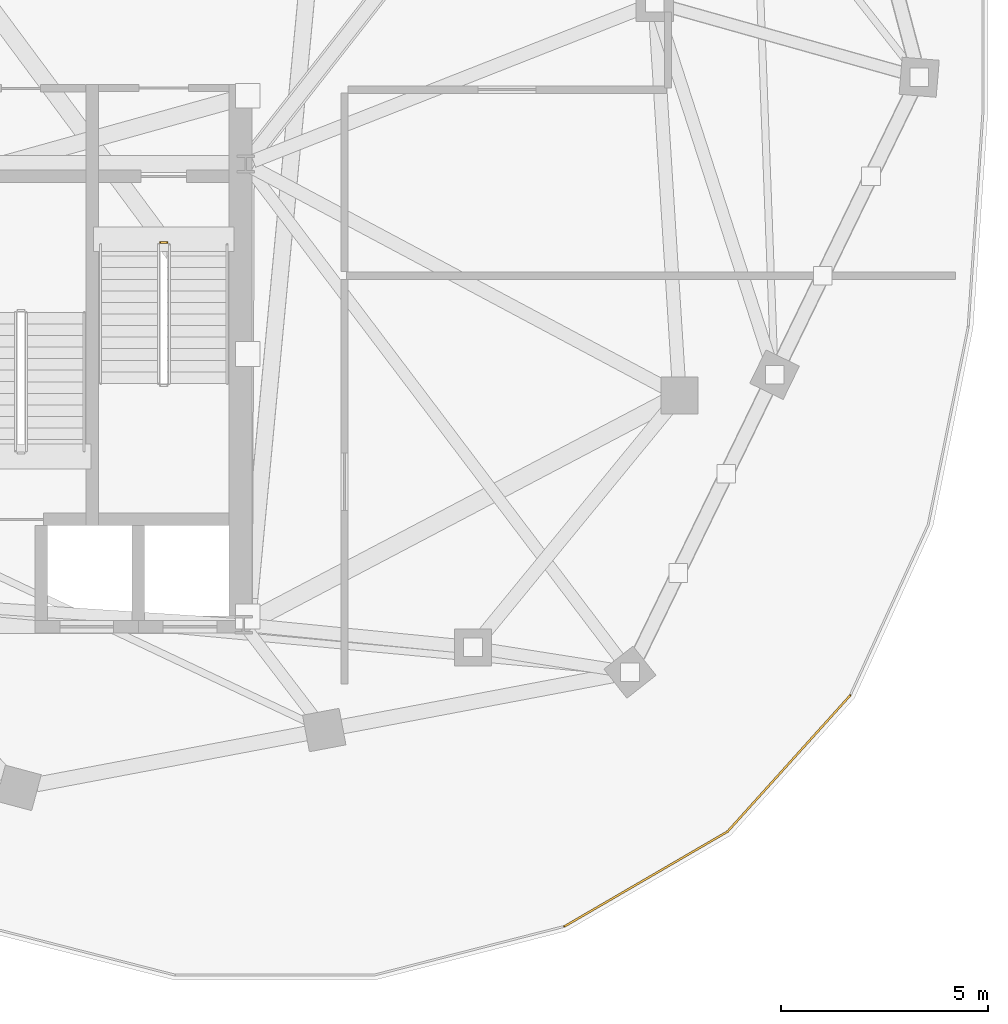
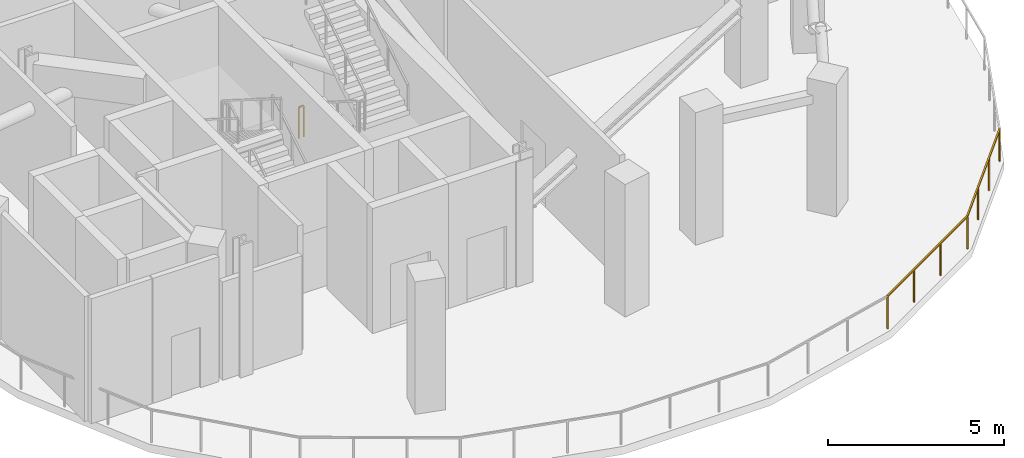
# One storey, part 15 of 16: 2 railings.
"""IFC4 building model written with IfcOpenShell, lengths in metres."""

from ifc_helpers import new_model, si_unit, direction, frame, origin, origin_2d, place, context, subcontext, project, spatial, rectangle, extrude, material, type_object, element, save


model = new_model("IFC4")

# Units and contexts
model_context = context("Model", 3, precision=1e-05, world=origin(), true_north=direction((0.0, 1.0)))
body_context = subcontext(model_context, "Body", "Model", "MODEL_VIEW")
ifc_project = project(units=[si_unit("LENGTHUNIT", "METRE"), si_unit("AREAUNIT", "SQUARE_METRE"), si_unit("VOLUMEUNIT", "CUBIC_METRE"), si_unit("PLANEANGLEUNIT", "RADIAN"), si_unit("MASSUNIT", "GRAM", prefix="KILO"), si_unit("THERMODYNAMICTEMPERATUREUNIT", "KELVIN"), si_unit("POWERUNIT", "WATT")], contexts=[model_context])

# Site, building, storey
site_placement = place(None, origin())
site = spatial("IfcSite", under=ifc_project, at=site_placement, CompositionType="ELEMENT")
building_placement = place(site_placement, origin())
building = spatial("IfcBuilding", under=site, at=building_placement, Name="Cundina Bronze Exchange", CompositionType="ELEMENT")
storey_placement = place(building_placement, frame((0.0, 0.0, 235.0)))
storey = spatial("IfcBuildingStorey", under=building, at=storey_placement, Name="L62", CompositionType="ELEMENT", Elevation=235.0)

# Railings
ifc_material_1 = material(Name="Anodised Bronze Aluminium 6063-T6", Category="aluminium")
railing_type_1 = type_object("IfcRailingType", Name="RLG-GRD-1150", PredefinedType="GUARDRAIL", material=ifc_material_1)
railing_1_placement = place(storey_placement, frame((45.930419921875, -16.762451171875, 0.0)))
element("IfcRailing", 1, at=railing_1_placement, inside=storey, type_object=railing_type_1, Name="L62 Perimeter Safety Guardrail 03", PredefinedType="GUARDRAIL", context=body_context, shape_type="SweptSolid", body=[
    extrude(rectangle(XDim=0.048095703125, YDim=0.048095703125, at=origin_2d()), frame((0.0, 0.0, 1.1259765625), z_axis=(-0.669381252421, -0.742919066189, 0.0), x_axis=(0.742919066189, -0.669381252421, 0.0)), (0.0, 0.0, 1.0), 4.435546875),
    extrude(rectangle(XDim=0.048095703125, YDim=0.048095703125, at=origin_2d()), frame((-2.968994140625, -3.295166015625, 1.1259765625), z_axis=(-0.864468804017, -0.502686469762, 0.0), x_axis=(0.502686469762, -0.864468804017, 0.0)), (0.0, 0.0, 1.0), 4.56396484375),
    extrude(rectangle(XDim=0.0419921875, YDim=0.0419921875, at=origin_2d()), origin(), (0.0, 0.0, 1.0), 1.101806640625),
    extrude(rectangle(XDim=0.0419921875, YDim=0.0419921875, at=origin_2d()), frame((-0.98974609375, -1.098388671875, 0.0)), (0.0, 0.0, 1.0), 1.101806640625),
    extrude(rectangle(XDim=0.0419921875, YDim=0.0419921875, at=origin_2d()), frame((-1.979248046875, -2.19677734375, 0.0)), (0.0, 0.0, 1.0), 1.101806640625),
    extrude(rectangle(XDim=0.0419921875, YDim=0.0419921875, at=origin_2d()), frame((-2.968994140625, -3.295166015625, 0.0)), (0.0, 0.0, 1.0), 1.101806640625),
    extrude(rectangle(XDim=0.0419921875, YDim=0.0419921875, at=origin_2d()), frame((-4.2841796875, -4.059814453125, 0.0)), (0.0, 0.0, 1.0), 1.101806640625),
    extrude(rectangle(XDim=0.0419921875, YDim=0.0419921875, at=origin_2d()), frame((-5.59912109375, -4.82470703125, 0.0)), (0.0, 0.0, 1.0), 1.101806640625),
    extrude(rectangle(XDim=0.0419921875, YDim=0.0419921875, at=origin_2d()), frame((-6.914306640625, -5.58935546875, 0.0)), (0.0, 0.0, 1.0), 1.101806640625),
])
ifc_material_2 = material(Name="Steel ASTM A36 Painted", Category="steel")
railing_type_2 = type_object("IfcRailingType", Name="RLG-STG-1100", PredefinedType="GUARDRAIL", material=ifc_material_2)
railing_2_placement = place(storey_placement, frame((29.239990234375, -5.800048828125, 0.0)))
element("IfcRailing", 2, at=railing_2_placement, inside=storey, type_object=railing_type_2, Name="L62 ST-E1 stair guard 4", PredefinedType="GUARDRAIL", context=body_context, shape_type="SweptSolid", body=[
    extrude(rectangle(XDim=0.048095703125, YDim=0.048095703125, at=origin_2d()), frame((0.0, 0.0, 1.076171875), z_axis=(1.0, 0.0, 0.0), x_axis=(0.0, 1.0, 0.0)), (0.0, 0.0, 1.0), 0.159912109375),
    extrude(rectangle(XDim=0.0419921875, YDim=0.0419921875, at=origin_2d()), origin(), (0.0, 0.0, 1.0), 1.052001953125),
    extrude(rectangle(XDim=0.0419921875, YDim=0.0419921875, at=origin_2d()), frame((0.159912109375, 0.0, 0.0)), (0.0, 0.0, 1.0), 1.052001953125),
])

save(model, "model.ifc")
